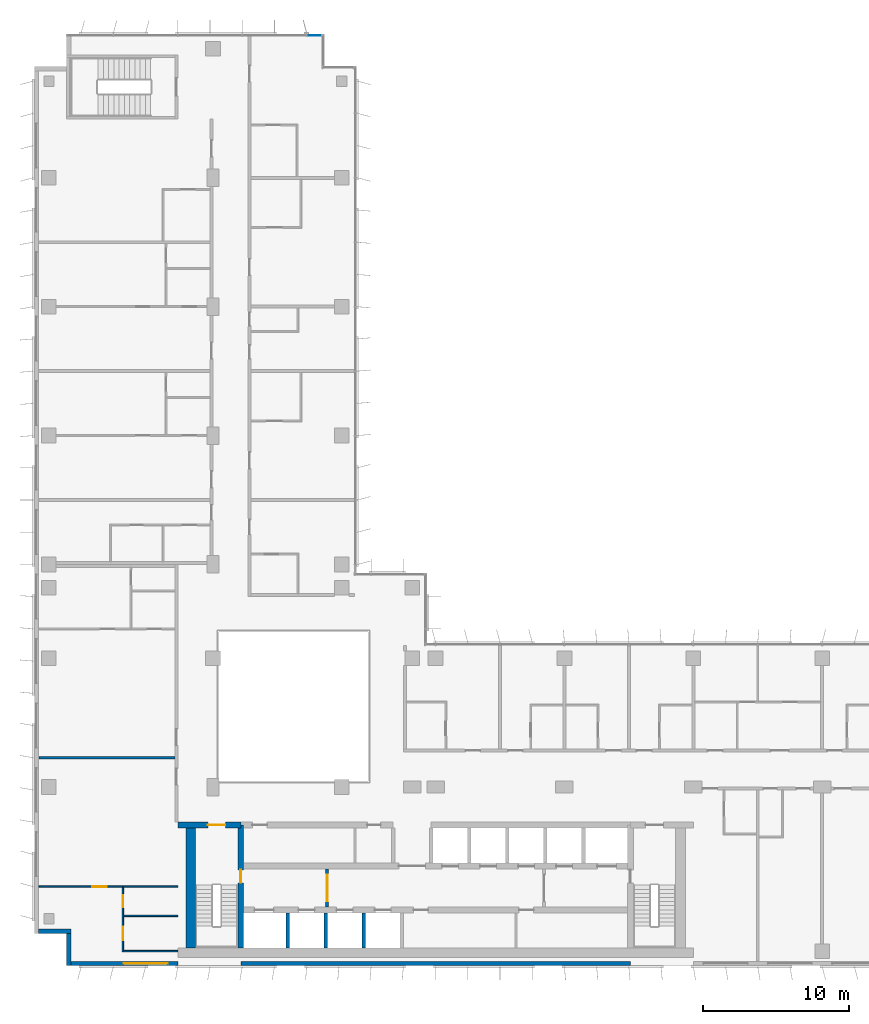
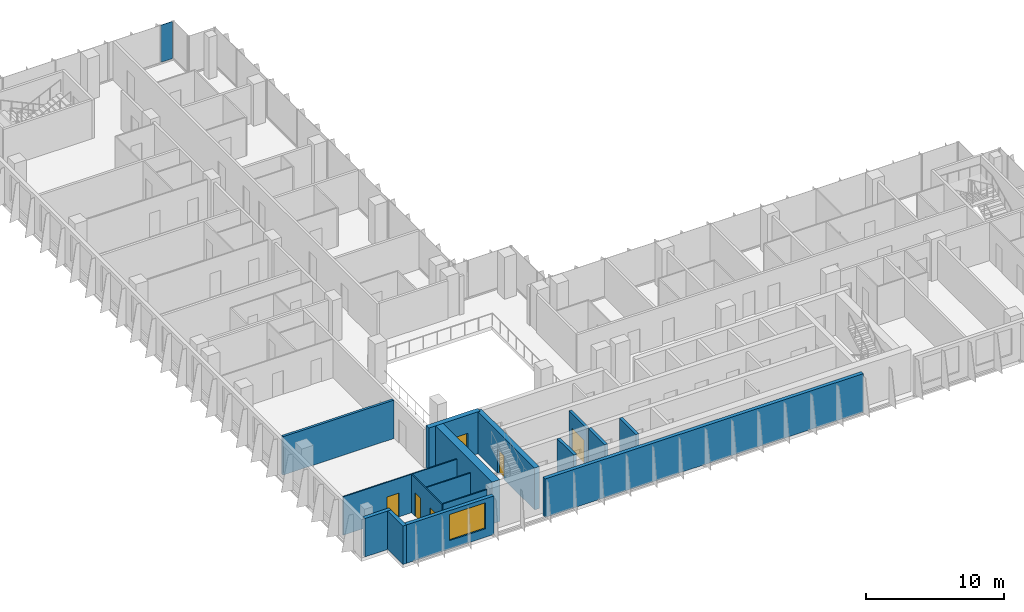
# One storey, part 12 of 21: 16 walls, 6 doors, 1 plate, 1 window, 7 openings, 1 element without a shape of its own.
"""IFC4 building model written with IfcOpenShell, lengths in metres."""

import ifcopenshell
import ifcopenshell.guid

model = None  # the IFC model being written
_history = None  # IfcOwnerHistory: only IFC2X3 demands one
_inside = {}  # id of a spatial element -> (the spatial element, [elements in it])
_under = {}  # id of a project, library or spatial element -> (it, [spatial elements below it])
_declared = {}  # id of a project -> (the project, [libraries it declares])
_typed = {}  # id of a type object -> (the type object, [elements of that type])
_made_of = {}  # id of a material, layer set ... -> (it, [elements and type objects made of it])


def new_model(schema):
    """Start an empty IFC model of exactly this schema.

    Asked for "IFC4X3", IfcOpenShell would pick the latest addendum, in which some entities
    have other attributes; the version numbers below select the first issue.
    IFC2X3 requires an IfcOwnerHistory on every rooted entity: one is made here for all.
    """
    global model, _history
    if schema == "IFC4X3":
        model = ifcopenshell.file(schema_version=(4, 3, 0, 0))
    else:
        model = ifcopenshell.file(schema=schema)
    _inside.clear()
    _under.clear()
    _declared.clear()
    _typed.clear()
    _made_of.clear()
    _history = None
    if model.schema == "IFC2X3":
        org = make("IfcOrganization", Name="unknown")
        user = make(
            "IfcPersonAndOrganization",
            ThePerson=make("IfcPerson", FamilyName="unknown"),
            TheOrganization=org,
        )
        app = make(
            "IfcApplication",
            ApplicationDeveloper=org,
            Version="unknown",
            ApplicationFullName="unknown",
            ApplicationIdentifier="unknown",
        )
        _history = make(
            "IfcOwnerHistory",
            OwningUser=user,
            OwningApplication=app,
            ChangeAction="ADDED",
            CreationDate=0,
        )
    return model


def make(cls, **values):
    """One entity of the class cls with the attributes given. An attribute that is None is left unset."""
    return model.create_entity(
        cls, **{name: value for name, value in values.items() if value is not None}
    )


def rooted(cls, **values):
    """An entity with a GlobalId (a new one), such as an element, a storey or a relation."""
    return make(cls, GlobalId=ifcopenshell.guid.new(), OwnerHistory=_history, **values)


def si_unit(unit_type, name, prefix=None):
    """IfcSIUnit, for example si_unit("LENGTHUNIT", "METRE", prefix="MILLI")."""
    return make("IfcSIUnit", UnitType=unit_type, Prefix=prefix, Name=name)


def assignment(units):
    """IfcUnitAssignment: the units of a project."""
    return None if units is None else make("IfcUnitAssignment", Units=units)


def point(xyz):
    """IfcCartesianPoint."""
    return None if xyz is None else make("IfcCartesianPoint", Coordinates=xyz)


def direction(xyz):
    """IfcDirection."""
    return None if xyz is None else make("IfcDirection", DirectionRatios=xyz)


def frame(location, z_axis=None, x_axis=None):
    """IfcAxis2Placement3D, a coordinate frame: its origin and axes. An axis left out is left unset."""
    return make(
        "IfcAxis2Placement3D",
        Location=point(location),
        Axis=direction(z_axis),
        RefDirection=direction(x_axis),
    )


def frame_2d(location, x_axis=None):
    """IfcAxis2Placement2D, a coordinate frame in the plane: its origin and x axis."""
    return make(
        "IfcAxis2Placement2D", Location=point(location), RefDirection=direction(x_axis)
    )


def origin():
    """The frame at (0, 0, 0) with its axes left unset."""
    return frame((0.0, 0.0, 0.0))


def origin_2d():
    """The frame at (0, 0) in the plane with its x axis left unset."""
    return frame_2d((0.0, 0.0))


def place(relative_to, where):
    """IfcLocalPlacement: puts the frame where relative to a parent placement (None: the world)."""
    return make(
        "IfcLocalPlacement", PlacementRelTo=relative_to, RelativePlacement=where
    )


def context(
    kind, dimensions, precision=None, world=None, true_north=None, identifier=None
):
    """IfcGeometricRepresentationContext, for example the 3D "Model" context."""
    return make(
        "IfcGeometricRepresentationContext",
        ContextIdentifier=identifier,
        ContextType=kind,
        CoordinateSpaceDimension=dimensions,
        Precision=precision,
        WorldCoordinateSystem=world,
        TrueNorth=true_north,
    )


def subcontext(parent, identifier, kind, view, scale=None):
    """IfcGeometricRepresentationSubContext, for example "Body" below "Model"."""
    return make(
        "IfcGeometricRepresentationSubContext",
        ContextIdentifier=identifier,
        ContextType=kind,
        ParentContext=parent,
        TargetScale=scale,
        TargetView=view,
    )


def project(units=None, contexts=None):
    """IfcProject with its units and contexts."""
    return rooted(
        "IfcProject",
        Name="project",
        RepresentationContexts=contexts,
        UnitsInContext=assignment(units),
    )


def spatial(cls, under=None, at=None, **own):
    """A site, building, storey or space (cls), placed at a placement, below another one or the project."""
    s = rooted(cls, ObjectPlacement=at, **own)
    if under is not None:
        _under.setdefault(under.id(), (under, []))[1].append(s)
    return s


def profile(cls, at=None, kind="AREA", **sizes):
    """A parametric profile (cls). Its sizes go by their IFC names, for example OverallWidth=200.0."""
    return make(cls, ProfileType=kind, Position=at, **sizes)


def rectangle(**sizes):
    """IfcRectangleProfileDef."""
    return profile("IfcRectangleProfileDef", **sizes)


def extrude(swept, where, along, depth):
    """IfcExtrudedAreaSolid: the profile swept, set in the frame where, extruded along a direction by depth."""
    return make(
        "IfcExtrudedAreaSolid",
        SweptArea=swept,
        Position=where,
        ExtrudedDirection=direction(along),
        Depth=depth,
    )


def shape(context_of_items, identifier, shape_type, items):
    """IfcShapeRepresentation: the items that make up one representation, for example the "Body"."""
    return make(
        "IfcShapeRepresentation",
        ContextOfItems=context_of_items,
        RepresentationIdentifier=identifier,
        RepresentationType=shape_type,
        Items=items,
    )


def source(mapping_origin, context_of_items, identifier, shape_type, items):
    """IfcRepresentationMap: a shape defined once, which mapped items show again and again."""
    return make(
        "IfcRepresentationMap",
        MappingOrigin=mapping_origin,
        MappedRepresentation=shape(context_of_items, identifier, shape_type, items),
    )


def transform(
    local_origin,
    x_axis=None,
    y_axis=None,
    z_axis=None,
    scale=None,
    scale2=None,
    scale3=None,
    uniform=True,
):
    """IfcCartesianTransformationOperator3D, or its non-uniform kind. x_axis, y_axis, z_axis: its Axis1, 2, 3."""
    if uniform:
        return make(
            "IfcCartesianTransformationOperator3D",
            Axis1=direction(x_axis),
            Axis2=direction(y_axis),
            LocalOrigin=point(local_origin),
            Scale=scale,
            Axis3=direction(z_axis),
        )
    return make(
        "IfcCartesianTransformationOperator3DnonUniform",
        Axis1=direction(x_axis),
        Axis2=direction(y_axis),
        LocalOrigin=point(local_origin),
        Scale=scale,
        Axis3=direction(z_axis),
        Scale2=scale2,
        Scale3=scale3,
    )


def mapped(mapping_source, mapping_target):
    """IfcMappedItem: shows the shape of a source again, moved by a transform."""
    return make(
        "IfcMappedItem", MappingSource=mapping_source, MappingTarget=mapping_target
    )


def material(Name=None, Category=None):
    """IfcMaterial."""
    return make("IfcMaterial", Name=Name, Category=Category)


def layer(
    of_material, thickness, ventilated=None, Name=None, Category=None, Priority=None
):
    """IfcMaterialLayer: one layer of a wall or slab, of a material (None: an air gap)."""
    return make(
        "IfcMaterialLayer",
        Material=of_material,
        LayerThickness=thickness,
        IsVentilated=ventilated,
        Name=Name,
        Category=Category,
        Priority=Priority,
    )


def layer_set(layers, Name=None):
    """IfcMaterialLayerSet."""
    return make("IfcMaterialLayerSet", MaterialLayers=layers, LayerSetName=Name)


def made_of(thing, what):
    """Note that an element or type object is made of a material, layer set ...; save() writes the relation."""
    if what is not None:
        _made_of.setdefault(what.id(), (what, []))[1].append(thing)
    return thing


def type_object(cls, material=None, **own):
    """A type object (cls), such as IfcWallType, which elements share."""
    return made_of(rooted(cls, **own), material)


def element(
    cls,
    number,
    at=None,
    inside=None,
    cuts=None,
    type_object=None,
    material=None,
    context=None,
    identifier="Body",
    shape_type=None,
    held_by="IfcProductDefinitionShape",
    body=None,
    shapes=None,
    **own,
):
    """One element of the class cls, such as IfcWall. Its Tag is "e" and its number.

    at: its placement. inside: the storey or other place that contains it. cuts: it is an
    opening in that element (IfcRelVoidsElement). A single representation is given by context,
    identifier, shape_type and body (its items); several are given by shapes. held_by: the class
    of the entity that holds the representations. save() writes the other relations.
    """
    e = rooted(cls, Tag="e%d" % number, ObjectPlacement=at, **own)
    if body is not None:
        shapes = [shape(context, identifier, shape_type, body)]
    if shapes is not None:
        e.Representation = make(held_by, Representations=shapes)
    if inside is not None:
        _inside.setdefault(inside.id(), (inside, []))[1].append(e)
    if cuts is not None:
        rooted(
            "IfcRelVoidsElement", RelatingBuildingElement=cuts, RelatedOpeningElement=e
        )
    if type_object is not None:
        _typed.setdefault(type_object.id(), (type_object, []))[1].append(e)
    return made_of(e, material)


def fill(opening, filler):
    """IfcRelFillsElement: the door or window that sits in an opening."""
    return rooted(
        "IfcRelFillsElement",
        RelatingOpeningElement=opening,
        RelatedBuildingElement=filler,
    )


def aggregate(whole, parts):
    """IfcRelAggregates: a whole, such as a stair, and the parts it consists of."""
    return rooted("IfcRelAggregates", RelatingObject=whole, RelatedObjects=parts)


def save(model, path):
    """Write the relations noted so far, then the file.

    IfcRelAggregates (storeys below a building ...), IfcRelContainedInSpatialStructure (elements
    in a storey), IfcRelDefinesByType, IfcRelAssociatesMaterial and IfcRelDeclares: one each for
    every whole, place, type object, material and project.
    """
    for whole, parts in _under.values():
        aggregate(whole, parts)
    for where, things in _inside.values():
        rooted(
            "IfcRelContainedInSpatialStructure",
            RelatedElements=things,
            RelatingStructure=where,
        )
    for kind, things in _typed.values():
        rooted("IfcRelDefinesByType", RelatedObjects=things, RelatingType=kind)
    for what, things in _made_of.values():
        rooted("IfcRelAssociatesMaterial", RelatedObjects=things, RelatingMaterial=what)
    for by, libraries in _declared.values():
        rooted("IfcRelDeclares", RelatingContext=by, RelatedDefinitions=libraries)
    model.write(path)


model = new_model("IFC4")

# Units and contexts
model_context = context("Model", 3, precision=1e-05, world=origin(), true_north=direction((0.0, 1.0)))
body_context = subcontext(model_context, "Body", "Model", "MODEL_VIEW")
ifc_project = project(units=[si_unit("LENGTHUNIT", "METRE"), si_unit("AREAUNIT", "SQUARE_METRE"), si_unit("VOLUMEUNIT", "CUBIC_METRE"), si_unit("PLANEANGLEUNIT", "RADIAN"), si_unit("MASSUNIT", "GRAM", prefix="KILO")], contexts=[model_context])

# Site, building, storey
site_placement = place(None, origin())
site = spatial("IfcSite", under=ifc_project, at=site_placement, CompositionType="ELEMENT")
building_placement = place(site_placement, origin())
building = spatial("IfcBuilding", under=site, at=building_placement, Name="Kemantara Hotel Tower", CompositionType="ELEMENT")
storey_placement = place(building_placement, frame((0.0, 0.0, 211.699951171875)))
storey = spatial("IfcBuildingStorey", under=building, at=storey_placement, Name="L52", CompositionType="ELEMENT", Elevation=211.699951171875)

# Curtain wall, plate
ifc_material_1 = material(Name="Low-E tinted double insulated glass 36 mm", Category="glass")
curtain_wall_type = type_object("IfcCurtainWallType", Name="TOWER CURTAIN WALL, FRONT FACES", PredefinedType="USERDEFINED", material=ifc_material_1)
curtain_wall_placement = place(storey_placement, origin())
curtain_wall = element("IfcCurtainWall", 1, at=curtain_wall_placement, inside=storey, type_object=curtain_wall_type, Name="CW4 L52 T3-R02-1", ObjectType="TOWER CURTAIN WALL, FRONT FACES", PredefinedType="USERDEFINED")
ifc_layer_1 = layer(ifc_material_1, 0.035888671875)
ifc_layer_set_1 = layer_set([ifc_layer_1], Name="Low-E tinted double insulated glass 36 mm")
plate_type = type_object("IfcPlateType", Name="TOWER CURTAIN WALL, FRONT FACES PANEL", PredefinedType="CURTAIN_PANEL", material=ifc_layer_set_1)
shared_shape = source(origin(), body_context, "Body", "SweptSolid", [
    extrude(rectangle(XDim=0.9599609375, YDim=0.035888671875, at=origin_2d()), origin(), (0.0, 0.0, 1.0), 3.280029296875),
])
plate_placement = place(storey_placement, frame((19.110107421875, 63.52490234375, 0.1201171875), z_axis=(0.0, 0.0, 1.0), x_axis=(-1.0, 0.0, 0.0)))
plate = element("IfcPlate", 2, at=plate_placement, type_object=plate_type, Name="CW4 glass panel T3-R02-1.1", PredefinedType="CURTAIN_PANEL", context=body_context, shape_type="MappedRepresentation", body=[
    mapped(shared_shape, transform((0.0, 0.0, 0.0))),
])
aggregate(curtain_wall, [plate])

# Walls
ifc_material_2 = material(Name="Bronze anodised aluminium cladding on insulated steel stud wall", Category="steel")
ifc_layer_2 = layer(ifc_material_2, 0.300048828125)
ifc_layer_set_2 = layer_set([ifc_layer_2], Name="Bronze anodised aluminium cladding on insulated steel stud wall")
wall_type_1 = type_object("IfcWallType", Name="BRONZE METAL-CLAD EXTERNAL WALL 300", PredefinedType="STANDARD", material=ifc_layer_set_2)
for number, where, z_axis, x_axis, name in (
    (3, (0.300048828125, 2.35009765625, 0.0), (0.0, 0.0, 1.0), (1.0, 0.0, 0.0), "EXTERNAL WALL L52 T3-R06"),
    (4, (2.35009765625, 2.199951171875, 0.0), (0.0, 0.0, 1.0), (0.0, -1.0, 0.0), "EXTERNAL WALL L52 T3-R07"),
):
    element("IfcWall", number, at=place(storey_placement, frame(where, z_axis=z_axis, x_axis=x_axis)), inside=storey, type_object=wall_type_1, Name=name, PredefinedType="STANDARD", context=body_context, shape_type="SweptSolid", body=[
        extrude(rectangle(XDim=2.199951171875, YDim=0.300048828125, at=frame_2d((1.10009765625, 0.0))), origin(), (0.0, 0.0, 1.0), 3.400146484375),
    ])

# Wall, opening, window
wall_1_placement = place(storey_placement, frame((2.5, 0.14990234375, 0.0), z_axis=(0.0, 0.0, 1.0), x_axis=(1.0, 0.0, 0.0)))
wall_1 = element("IfcWall", 5, at=wall_1_placement, inside=storey, type_object=wall_type_1, Name="EXTERNAL WALL L52 T3-R08", PredefinedType="STANDARD", context=body_context, shape_type="SweptSolid", body=[
    extrude(rectangle(XDim=7.300048828125, YDim=0.300048828125, at=frame_2d((3.64990234375, 0.0))), origin(), (0.0, 0.0, 1.0), 3.400146484375),
])
opening_1_placement = place(wall_1_placement, frame((3.60009765625, 0.0, 0.75)))
opening_1 = element("IfcOpeningElement", 6, at=opening_1_placement, cuts=wall_1, Name="Opening W1", PredefinedType="OPENING", context=body_context, shape_type="SweptSolid", body=[
    extrude(rectangle(XDim=3.0, YDim=2.300048828125, at=frame_2d((1.5, 1.14990234375))), frame((0.0, 0.159912109375, 0.0), z_axis=(0.0, -1.0, 0.0), x_axis=(1.0, 0.0, 0.0)), (0.0, 0.0, 1.0), 0.320068359375),
])
ifc_material_3 = material(Name="Low-E tinted double insulated glass in bronze anodised aluminium frame", Category="aluminium")
window_type = type_object("IfcWindowType", Name="CHICAGO WINDOW, TRIPLE PANEL 3000x2300", PartitioningType="TRIPLE_PANEL_VERTICAL", PredefinedType="WINDOW", material=ifc_material_3)
window_placement = place(opening_1_placement, origin())
window = element("IfcWindow", 7, at=window_placement, inside=storey, type_object=window_type, Name="CHICAGO WINDOW L52 T3-R08-54", OverallHeight=2.300048828125, OverallWidth=3.0, PartitioningType="SINGLE_PANEL", PredefinedType="WINDOW", context=body_context, shape_type="SweptSolid", body=[
    extrude(rectangle(XDim=3.0, YDim=2.300048828125, at=frame_2d((1.5, 1.14990234375))), frame((0.0, 0.030029296875, 0.0), z_axis=(0.0, -1.0, 0.0), x_axis=(1.0, 0.0, 0.0)), (0.0, 0.0, 1.0), 0.06005859375),
])
fill(opening_1, window)

# Walls
wall_2_placement = place(storey_placement, frame((14.10009765625, 0.14990234375, 0.0), z_axis=(0.0, 0.0, 1.0), x_axis=(1.0, 0.0, 0.0)))
element("IfcWall", 8, at=wall_2_placement, inside=storey, type_object=wall_type_1, Name="EXTERNAL WALL L52 T3-R08-2", PredefinedType="STANDARD", context=body_context, shape_type="SweptSolid", body=[
    extrude(rectangle(XDim=26.599853515625, YDim=0.300048828125, at=frame_2d((13.2998046875, 0.0))), origin(), (0.0, 0.0, 1.0), 3.400146484375),
])
ifc_material_4 = material(Name="Concrete fc 60 MPa", Category="concrete")
ifc_layer_3 = layer(ifc_material_4, 0.25)
ifc_layer_set_3 = layer_set([ifc_layer_3], Name="Concrete fc 60 MPa")
wall_type_2 = type_object("IfcWallType", Name="CORE WALL 250 FC60", PredefinedType="SHEAR", material=ifc_layer_set_3)
for number, where, z_axis, x_axis, name in (
    (9, (17.300048828125, 1.199951171875, 0.0), (0.0, 0.0, 1.0), (0.0, 1.0, 0.0), "CORE WALL CW-DS17.3"),
    (10, (19.89990234375, 1.199951171875, 0.0), (0.0, 0.0, 1.0), (0.0, 1.0, 0.0), "CORE WALL CW-DS19.9"),
    (11, (22.5, 1.199951171875, 0.0), (0.0, 0.0, 1.0), (0.0, 1.0, 0.0), "CORE WALL CW-DS22.5"),
):
    element("IfcWall", number, at=place(storey_placement, frame(where, z_axis=z_axis, x_axis=x_axis)), inside=storey, type_object=wall_type_2, Name=name, PredefinedType="SHEAR", context=body_context, shape_type="SweptSolid", body=[
        extrude(rectangle(XDim=2.400146484375, YDim=0.25, at=frame_2d((1.2001953125, 0.0))), origin(), (0.0, 0.0, 1.0), 3.699951171875),
    ])

# Wall, opening, door
ifc_layer_4 = layer(ifc_material_4, 0.39990234375)
ifc_layer_set_4 = layer_set([ifc_layer_4], Name="Concrete fc 60 MPa")
wall_type_3 = type_object("IfcWallType", Name="CORE WALL 400 FC60", PredefinedType="SHEAR", material=ifc_layer_set_4)
wall_3_placement = place(storey_placement, frame((9.800048828125, 9.60009765625, 0.0), z_axis=(0.0, 0.0, 1.0), x_axis=(1.0, 0.0, 0.0)))
wall_3 = element("IfcWall", 12, at=wall_3_placement, inside=storey, type_object=wall_type_3, Name="CORE WALL CW-N1", PredefinedType="SHEAR", context=body_context, shape_type="SweptSolid", body=[
    extrude(rectangle(XDim=4.300048828125, YDim=0.39990234375, at=frame_2d((2.14990234375, 0.0))), origin(), (0.0, 0.0, 1.0), 3.699951171875),
])
opening_2_placement = place(wall_3_placement, frame((2.050048828125, 0.0, 0.0)))
opening_2 = element("IfcOpeningElement", 13, at=opening_2_placement, cuts=wall_3, Name="Opening C33-ST1-C", PredefinedType="OPENING", context=body_context, shape_type="SweptSolid", body=[
    extrude(rectangle(XDim=1.199951171875, YDim=2.10009765625, at=frame_2d((0.60009765625, 1.050048828125))), frame((0.0, 0.2099609375, 0.0), z_axis=(0.0, -1.0, 0.0), x_axis=(1.0, 0.0, 0.0)), (0.0, 0.0, 1.0), 0.419921875),
])
ifc_material_5 = material(Name="Steel fire door", Category="steel")
door_type_1 = type_object("IfcDoorType", Name="Fire door FD90 1200 x 2100", OperationType="NOTDEFINED", PredefinedType="DOOR", material=ifc_material_5)
door_1_placement = place(opening_2_placement, frame((1.199951171875, 0.0, 0.0), z_axis=(0.0, 0.0, 1.0), x_axis=(-1.0, 0.0, 0.0)))
door_1 = element("IfcDoor", 14, at=door_1_placement, inside=storey, type_object=door_type_1, Name="Stair ST1 door to corridor", OperationType="SINGLE_SWING_LEFT", OverallHeight=2.10009765625, OverallWidth=1.199951171875, PredefinedType="DOOR", context=body_context, shape_type="SweptSolid", body=[
    extrude(rectangle(XDim=1.199951171875, YDim=2.10009765625, at=frame_2d((0.60009765625, 1.050048828125))), frame((0.0, 0.02490234375, 0.0), z_axis=(0.0, -1.0, 0.0), x_axis=(1.0, 0.0, 0.0)), (0.0, 0.0, 1.0), 0.050048828125),
])
fill(opening_2, door_1)

wall_4_placement = place(storey_placement, frame((14.10009765625, 1.199951171875, 0.0), z_axis=(0.0, 0.0, 1.0), x_axis=(0.0, 1.0, 0.0)))
wall_4 = element("IfcWall", 15, at=wall_4_placement, inside=storey, type_object=wall_type_3, Name="CORE WALL CW-ST1E", PredefinedType="SHEAR", context=body_context, shape_type="SweptSolid", body=[
    extrude(rectangle(XDim=8.400146484375, YDim=0.39990234375, at=frame_2d((4.2001953125, 0.0))), origin(), (0.0, 0.0, 1.0), 3.699951171875),
])
opening_3_placement = place(wall_4_placement, frame((4.449951171875, 0.0, 0.0)))
opening_3 = element("IfcOpeningElement", 16, at=opening_3_placement, cuts=wall_4, Name="Opening C33-ST1-F", PredefinedType="OPENING", context=body_context, shape_type="SweptSolid", body=[
    extrude(rectangle(XDim=0.89990234375, YDim=2.10009765625, at=frame_2d((0.449951171875, 1.050048828125))), frame((0.0, 0.2099609375, 0.0), z_axis=(0.0, -1.0, 0.0), x_axis=(1.0, 0.0, 0.0)), (0.0, 0.0, 1.0), 0.419921875),
])
door_type_2 = type_object("IfcDoorType", Name="Fire door FD90 900 x 2100", OperationType="NOTDEFINED", PredefinedType="DOOR", material=ifc_material_5)
door_2_placement = place(opening_3_placement, origin())
door_2 = element("IfcDoor", 17, at=door_2_placement, inside=storey, type_object=door_type_2, Name="Stair ST1 door to firefighting lobby", OperationType="SINGLE_SWING_RIGHT", OverallHeight=2.10009765625, OverallWidth=0.89990234375, PredefinedType="DOOR", context=body_context, shape_type="SweptSolid", body=[
    extrude(rectangle(XDim=0.89990234375, YDim=2.10009765625, at=frame_2d((0.449951171875, 1.050048828125))), frame((0.0, 0.02490234375, 0.0), z_axis=(0.0, -1.0, 0.0), x_axis=(1.0, 0.0, 0.0)), (0.0, 0.0, 1.0), 0.050048828125),
])
fill(opening_3, door_2)

# Walls
ifc_layer_5 = layer(ifc_material_4, 0.64990234375)
ifc_layer_set_5 = layer_set([ifc_layer_5], Name="Concrete fc 60 MPa")
wall_type_4 = type_object("IfcWallType", Name="CORE WALL 650 FC60", PredefinedType="SHEAR", material=ifc_layer_set_5)
wall_5_placement = place(storey_placement, frame((10.675048828125, 1.199951171875, 0.0), z_axis=(0.0, 0.0, 1.0), x_axis=(0.0, 1.0, 0.0)))
element("IfcWall", 18, at=wall_5_placement, inside=storey, type_object=wall_type_4, Name="CORE WALL CW-W", PredefinedType="SHEAR", context=body_context, shape_type="SweptSolid", body=[
    extrude(rectangle(XDim=8.60009765625, YDim=0.64990234375, at=frame_2d((4.300048828125, 0.0))), origin(), (0.0, 0.0, 1.0), 3.699951171875),
])
ifc_material_6 = material(Name="Gypsum board partition, steel studs and mineral wool, 200 mm", Category="steel")
ifc_layer_6 = layer(ifc_material_6, 0.199951171875)
ifc_layer_set_6 = layer_set([ifc_layer_6], Name="Gypsum board partition, steel studs and mineral wool, 200 mm")
wall_type_5 = type_object("IfcWallType", Name="GUEST ROOM PARTY WALL 200", PredefinedType="PARTITIONING", material=ifc_layer_set_6)
wall_6_placement = place(storey_placement, frame((0.31005859375, 14.199951171875, 0.0), z_axis=(0.0, 0.0, 1.0), x_axis=(1.0, 0.0, 0.0)))
element("IfcWall", 19, at=wall_6_placement, inside=storey, type_object=wall_type_5, Name="GUEST ROOM PARTY WALL 200 015", PredefinedType="PARTITIONING", context=body_context, shape_type="SweptSolid", body=[
    extrude(rectangle(XDim=9.2900390625, YDim=0.199951171875, at=frame_2d((4.64501953125, 0.0))), origin(), (0.0, 0.0, 1.0), 3.400146484375),
])

# Wall, opening, door
ifc_material_7 = material(Name="Gypsum board shaft wall")
ifc_layer_7 = layer(ifc_material_7, 0.199951171875)
ifc_layer_set_7 = layer_set([ifc_layer_7], Name="Gypsum board shaft wall")
wall_type_6 = type_object("IfcWallType", Name="Gypsum board shaft wall 200 mm", PredefinedType="PARTITIONING", material=ifc_layer_set_7)
wall_7_placement = place(storey_placement, frame((20.0, 4.0, 0.0), z_axis=(0.0, 0.0, 1.0), x_axis=(0.0, 1.0, 0.0)))
wall_7 = element("IfcWall", 20, at=wall_7_placement, inside=storey, type_object=wall_type_6, Name="Firefighting lobby partition west", PredefinedType="PARTITIONING", context=body_context, shape_type="SweptSolid", body=[
    extrude(rectangle(XDim=2.60009765625, YDim=0.199951171875, at=frame_2d((1.300048828125, 0.0))), origin(), (0.0, 0.0, 1.0), 3.400146484375),
])
opening_4_placement = place(wall_7_placement, frame((0.39990234375, 0.0, 0.0)))
opening_4 = element("IfcOpeningElement", 21, at=opening_4_placement, cuts=wall_7, Name="Opening C33-FFW", PredefinedType="OPENING", context=body_context, shape_type="SweptSolid", body=[
    extrude(rectangle(XDim=1.800048828125, YDim=2.10009765625, at=frame_2d((0.89990234375, 1.050048828125))), frame((0.0, 0.10986328125, 0.0), z_axis=(0.0, -1.0, 0.0), x_axis=(1.0, 0.0, 0.0)), (0.0, 0.0, 1.0), 0.219970703125),
])
door_type_3 = type_object("IfcDoorType", Name="Fire door pair FD60 1800 x 2100", OperationType="DOUBLE_DOOR_SINGLE_SWING", PredefinedType="DOOR", material=ifc_material_5)
door_3_placement = place(opening_4_placement, origin())
door_3 = element("IfcDoor", 22, at=door_3_placement, inside=storey, type_object=door_type_3, Name="Firefighting lobby door west", OperationType="DOUBLE_DOOR_SINGLE_SWING", OverallHeight=2.10009765625, OverallWidth=1.800048828125, PredefinedType="DOOR", context=body_context, shape_type="SweptSolid", body=[
    extrude(rectangle(XDim=1.800048828125, YDim=2.10009765625, at=frame_2d((0.89990234375, 1.050048828125))), frame((0.0, 0.02490234375, 0.0), z_axis=(0.0, -1.0, 0.0), x_axis=(1.0, 0.0, 0.0)), (0.0, 0.0, 1.0), 0.050048828125),
])
fill(opening_4, door_3)

# Wall, openings, doors
ifc_material_8 = material(Name="Gypsum board partition on steel studs, 100 mm", Category="steel")
ifc_layer_8 = layer(ifc_material_8, 0.10009765625)
ifc_layer_set_8 = layer_set([ifc_layer_8], Name="Gypsum board partition on steel studs, 100 mm")
wall_type_7 = type_object("IfcWallType", Name="ROOM PARTITION 100", PredefinedType="PARTITIONING", material=ifc_layer_set_8)
wall_8_placement = place(storey_placement, frame((6.050048828125, 5.35009765625, 0.0), z_axis=(0.0, 0.0, 1.0), x_axis=(0.0, -1.0, 0.0)))
wall_8 = element("IfcWall", 23, at=wall_8_placement, inside=storey, type_object=wall_type_7, Name="ROOM PARTITION 100 052", PredefinedType="PARTITIONING", context=body_context, shape_type="SweptSolid", body=[
    extrude(rectangle(XDim=4.400146484375, YDim=0.10009765625, at=frame_2d((2.2001953125, 0.0))), origin(), (0.0, 0.0, 1.0), 3.400146484375),
])
opening_5_placement = place(wall_8_placement, frame((2.699951171875, 0.0, 0.0)))
opening_5 = element("IfcOpeningElement", 24, at=opening_5_placement, cuts=wall_8, Name="Opening F25-025", PredefinedType="OPENING", context=body_context, shape_type="SweptSolid", body=[
    extrude(rectangle(XDim=0.89990234375, YDim=2.10009765625, at=frame_2d((0.449951171875, 1.050048828125))), frame((0.0, 0.06005859375, 0.0), z_axis=(0.0, -1.0, 0.0), x_axis=(1.0, 0.0, 0.0)), (0.0, 0.0, 1.0), 0.1201171875),
])
opening_6_placement = place(wall_8_placement, frame((0.550048828125, 0.0, 0.0)))
opening_6 = element("IfcOpeningElement", 25, at=opening_6_placement, cuts=wall_8, Name="Opening F25-026", PredefinedType="OPENING", context=body_context, shape_type="SweptSolid", body=[
    extrude(rectangle(XDim=0.800048828125, YDim=2.10009765625, at=frame_2d((0.39990234375, 1.050048828125))), frame((0.0, 0.06005859375, 0.0), z_axis=(0.0, -1.0, 0.0), x_axis=(1.0, 0.0, 0.0)), (0.0, 0.0, 1.0), 0.1201171875),
])
ifc_material_9 = material(Name="Hardwood veneer door leaf with steel frame", Category="steel")
door_type_4 = type_object("IfcDoorType", Name="BATHROOM DOOR 900 X 2100", OperationType="NOTDEFINED", PredefinedType="DOOR", material=ifc_material_9)
door_4_placement = place(opening_5_placement, origin())
door_4 = element("IfcDoor", 26, at=door_4_placement, inside=storey, type_object=door_type_4, Name="BATHROOM DOOR F25-025", OperationType="SINGLE_SWING_LEFT", OverallHeight=2.10009765625, OverallWidth=0.89990234375, PredefinedType="DOOR", context=body_context, shape_type="SweptSolid", body=[
    extrude(rectangle(XDim=0.89990234375, YDim=2.10009765625, at=frame_2d((0.449951171875, 1.050048828125))), frame((0.0, 0.02490234375, 0.0), z_axis=(0.0, -1.0, 0.0), x_axis=(1.0, 0.0, 0.0)), (0.0, 0.0, 1.0), 0.050048828125),
])
fill(opening_5, door_4)
door_type_5 = type_object("IfcDoorType", Name="WARDROBE DOOR 800 X 2100", OperationType="NOTDEFINED", PredefinedType="DOOR", material=ifc_material_9)
door_5_placement = place(opening_6_placement, origin())
door_5 = element("IfcDoor", 27, at=door_5_placement, inside=storey, type_object=door_type_5, Name="WARDROBE DOOR F25-026", OperationType="SINGLE_SWING_LEFT", OverallHeight=2.10009765625, OverallWidth=0.800048828125, PredefinedType="DOOR", context=body_context, shape_type="SweptSolid", body=[
    extrude(rectangle(XDim=0.800048828125, YDim=2.10009765625, at=frame_2d((0.39990234375, 1.050048828125))), frame((0.0, 0.02490234375, 0.0), z_axis=(0.0, -1.0, 0.0), x_axis=(1.0, 0.0, 0.0)), (0.0, 0.0, 1.0), 0.050048828125),
])
fill(opening_6, door_5)

# Wall, opening, door
wall_9_placement = place(storey_placement, frame((9.7998046875, 5.39990234375, 0.0), z_axis=(0.0, 0.0, 1.0), x_axis=(-1.0, 0.0, 0.0)))
wall_9 = element("IfcWall", 28, at=wall_9_placement, inside=storey, type_object=wall_type_7, Name="ROOM PARTITION 100 053", PredefinedType="PARTITIONING", context=body_context, shape_type="SweptSolid", body=[
    extrude(rectangle(XDim=9.48974609375, YDim=0.10009765625, at=frame_2d((4.744873046875, 0.0))), origin(), (0.0, 0.0, 1.0), 3.400146484375),
])
opening_7_placement = place(wall_9_placement, frame((4.849853515625, 0.0, 0.0)))
opening_7 = element("IfcOpeningElement", 29, at=opening_7_placement, cuts=wall_9, Name="Opening F25-024", PredefinedType="OPENING", context=body_context, shape_type="SweptSolid", body=[
    extrude(rectangle(XDim=1.0, YDim=2.10009765625, at=frame_2d((0.5, 1.050048828125))), frame((0.0, 0.06005859375, 0.0), z_axis=(0.0, -1.0, 0.0), x_axis=(1.0, 0.0, 0.0)), (0.0, 0.0, 1.0), 0.1201171875),
])
door_type_6 = type_object("IfcDoorType", Name="INTERNAL DOOR 1000 X 2100", OperationType="NOTDEFINED", PredefinedType="DOOR", material=ifc_material_9)
door_6_placement = place(opening_7_placement, origin())
door_6 = element("IfcDoor", 30, at=door_6_placement, inside=storey, type_object=door_type_6, Name="INTERNAL DOOR F25-024", OperationType="SINGLE_SWING_LEFT", OverallHeight=2.10009765625, OverallWidth=1.0, PredefinedType="DOOR", context=body_context, shape_type="SweptSolid", body=[
    extrude(rectangle(XDim=1.0, YDim=2.10009765625, at=frame_2d((0.5, 1.050048828125))), frame((0.0, 0.02490234375, 0.0), z_axis=(0.0, -1.0, 0.0), x_axis=(1.0, 0.0, 0.0)), (0.0, 0.0, 1.0), 0.050048828125),
])
fill(opening_7, door_6)

# Walls
for number, where, z_axis, x_axis, name in (
    (31, (6.10009765625, 1.0, 0.0), (0.0, 0.0, 1.0), (1.0, 0.0, 0.0), "ROOM PARTITION 100 054"),
    (32, (6.10009765625, 3.39990234375, 0.0), (0.0, 0.0, 1.0), (1.0, 0.0, 0.0), "ROOM PARTITION 100 055"),
):
    element("IfcWall", number, at=place(storey_placement, frame(where, z_axis=z_axis, x_axis=x_axis)), inside=storey, type_object=wall_type_7, Name=name, PredefinedType="PARTITIONING", context=body_context, shape_type="SweptSolid", body=[
        extrude(rectangle(XDim=3.69970703125, YDim=0.10009765625, at=frame_2d((1.849853515625, 0.0))), origin(), (0.0, 0.0, 1.0), 3.400146484375),
    ])

save(model, "model.ifc")
